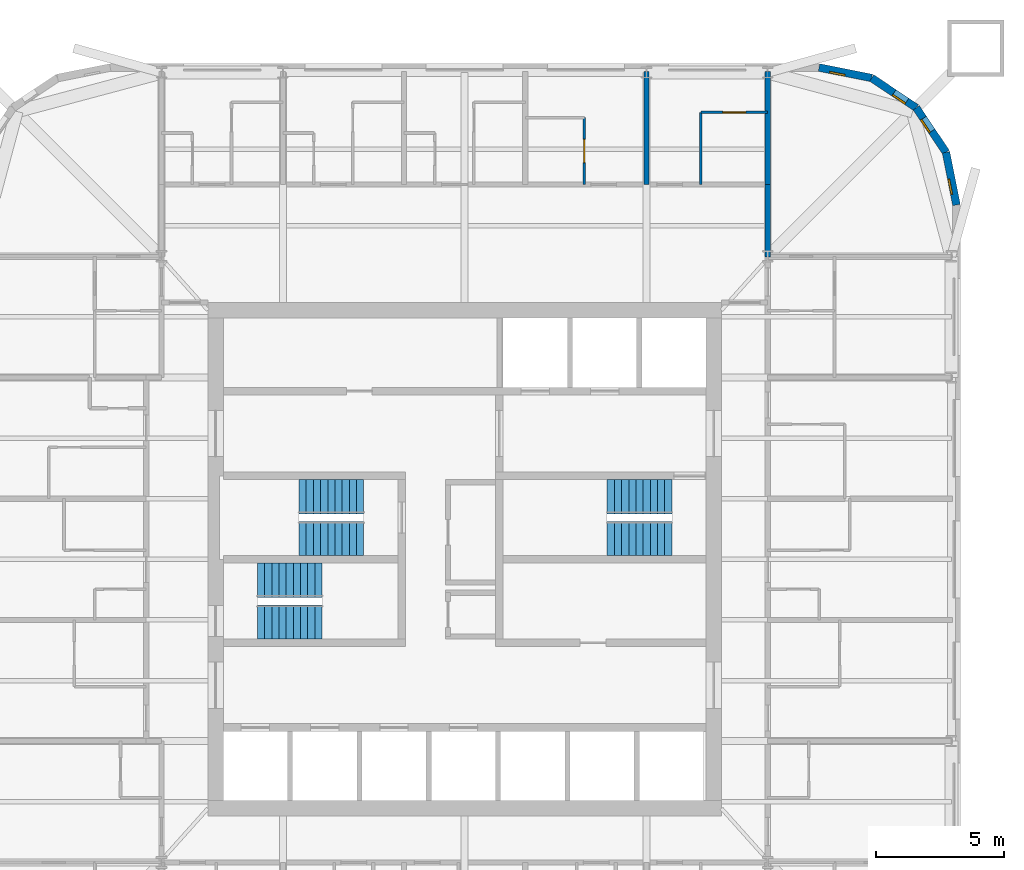
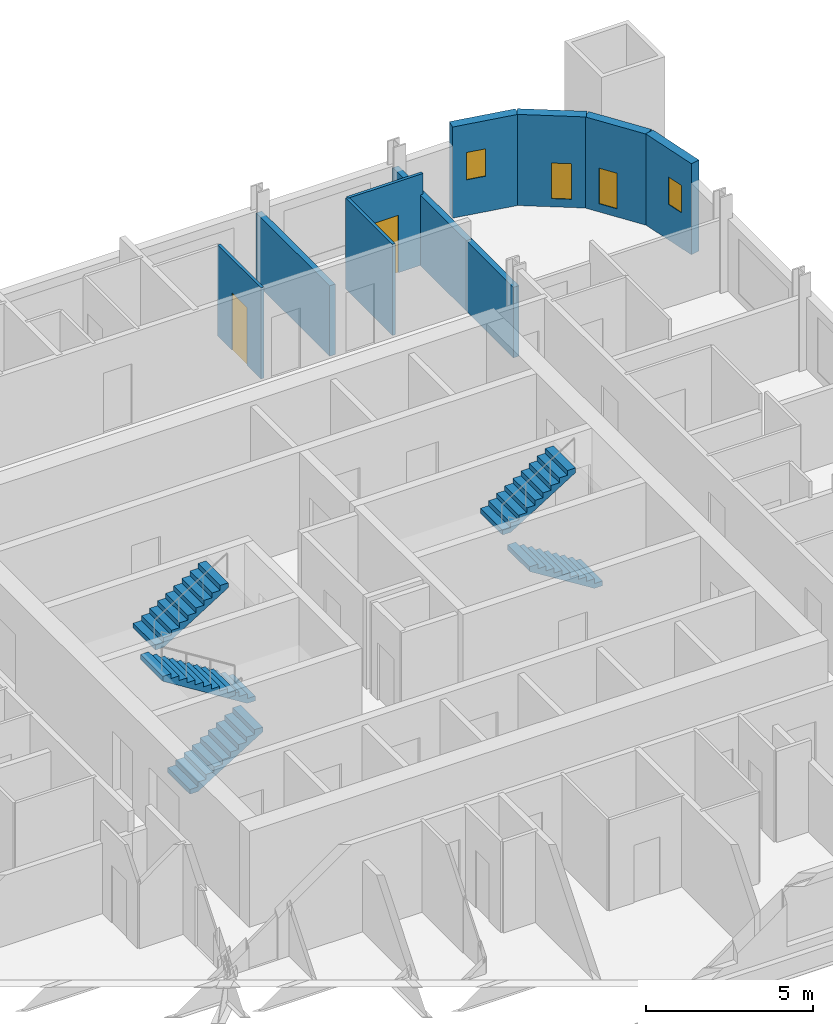
# One storey, part 8 of 9: 10 walls, 6 stair flights, 4 windows, 2 doors, 6 openings, 3 elements without a shape of their own.
"""IFC4 building model written with IfcOpenShell, lengths in metres."""

from ifc_helpers import new_model, si_unit, direction, frame, frame_2d, origin, place, context, subcontext, project, spatial, polyline, rectangle, outline, extrude, material, layer, layer_set, type_object, element, fill, aggregate, save


model = new_model("IFC4")

# Units and contexts
model_context = context("Model", 3, precision=1e-05, world=origin(), true_north=direction((0.0, 1.0)))
body_context = subcontext(model_context, "Body", "Model", "MODEL_VIEW")
ifc_project = project(units=[si_unit("LENGTHUNIT", "METRE"), si_unit("AREAUNIT", "SQUARE_METRE"), si_unit("VOLUMEUNIT", "CUBIC_METRE"), si_unit("PLANEANGLEUNIT", "RADIAN"), si_unit("MASSUNIT", "GRAM", prefix="KILO")], contexts=[model_context])

# Site, building, storey
site_placement = place(None, origin())
site = spatial("IfcSite", under=ifc_project, at=site_placement, CompositionType="ELEMENT")
building_placement = place(site_placement, origin())
building = spatial("IfcBuilding", under=site, at=building_placement, Name="Turquesa Mirador Hotel Tower", CompositionType="ELEMENT")
storey_placement = place(building_placement, frame((0.0, 0.0, 214.300048828125)))
storey = spatial("IfcBuildingStorey", under=building, at=storey_placement, Name="L58", CompositionType="ELEMENT", Elevation=214.300048828125)

# Wall, opening, door
ifc_material_1 = material(Name="Gypsum board on steel studs", Category="steel")
ifc_layer_1 = layer(ifc_material_1, 0.10009765625)
ifc_layer_set_1 = layer_set([ifc_layer_1], Name="BATHROOM WALL 100")
wall_type_1 = type_object("IfcWallType", Name="BATHROOM WALL 100", PredefinedType="PARTITIONING", material=ifc_layer_set_1)
wall_1_placement = place(storey_placement, frame((64.199951171875, 62.39990234375, 0.0), z_axis=(0.0, 0.0, 1.0), x_axis=(1.0, 0.0, 0.0)))
wall_1 = element("IfcWall", 1, at=wall_1_placement, inside=storey, type_object=wall_type_1, Name="Partition L58 037", PredefinedType="PARTITIONING", context=body_context, shape_type="SweptSolid", body=[
    extrude(rectangle(XDim=2.60009765625, YDim=0.10009765625, at=frame_2d((1.300048828125, 0.0))), origin(), (0.0, 0.0, 1.0), 3.329833984375),
])
opening_1_placement = place(wall_1_placement, frame((0.85009765625, 0.0, 0.0)))
opening_1 = element("IfcOpeningElement", 2, at=opening_1_placement, cuts=wall_1, Name="Opening D02", PredefinedType="OPENING", context=body_context, shape_type="SweptSolid", body=[
    extrude(rectangle(XDim=0.89990234375, YDim=2.10009765625, at=frame_2d((0.449951171875, 1.050048828125))), frame((0.0, 0.06005859375, 0.0), z_axis=(0.0, -1.0, 0.0), x_axis=(1.0, 0.0, 0.0)), (0.0, 0.0, 1.0), 0.1201171875),
])
ifc_material_2 = material(Name="Timber veneered door", Category="wood")
door_type = type_object("IfcDoorType", Name="DOOR 900X2100 EN-SUITE", OperationType="SINGLE_SWING_RIGHT", PredefinedType="DOOR", material=ifc_material_2)
door_1_placement = place(opening_1_placement, origin())
door_1 = element("IfcDoor", 3, at=door_1_placement, inside=storey, type_object=door_type, Name="Door 5805B", OperationType="SINGLE_SWING_RIGHT", OverallHeight=2.10009765625, OverallWidth=0.89990234375, PredefinedType="DOOR", context=body_context, shape_type="SweptSolid", body=[
    extrude(rectangle(XDim=0.89990234375, YDim=2.10009765625, at=frame_2d((0.449951171875, 1.050048828125))), frame((0.0, 0.02490234375, 0.0), z_axis=(0.0, -1.0, 0.0), x_axis=(1.0, 0.0, 0.0)), (0.0, 0.0, 1.0), 0.050048828125),
])
fill(opening_1, door_1)

wall_2_placement = place(storey_placement, frame((59.659912109375, 59.60009765625, 0.0), z_axis=(0.0, 0.0, 1.0), x_axis=(0.0, 1.0, 0.0)))
wall_2 = element("IfcWall", 4, at=wall_2_placement, inside=storey, type_object=wall_type_1, Name="Partition L58 096", PredefinedType="PARTITIONING", context=body_context, shape_type="SweptSolid", body=[
    extrude(rectangle(XDim=2.599853515625, YDim=0.10009765625, at=frame_2d((1.2998046875, 0.0))), origin(), (0.0, 0.0, 1.0), 3.329833984375),
])
opening_2_placement = place(wall_2_placement, frame((0.85009765625, 0.0, 0.0)))
opening_2 = element("IfcOpeningElement", 5, at=opening_2_placement, cuts=wall_2, Name="Opening D02", PredefinedType="OPENING", context=body_context, shape_type="SweptSolid", body=[
    extrude(rectangle(XDim=0.89990234375, YDim=2.10009765625, at=frame_2d((0.449951171875, 1.050048828125))), frame((0.0, 0.06005859375, 0.0), z_axis=(0.0, -1.0, 0.0), x_axis=(1.0, 0.0, 0.0)), (0.0, 0.0, 1.0), 0.1201171875),
])
door_2_placement = place(opening_2_placement, origin())
door_2 = element("IfcDoor", 6, at=door_2_placement, inside=storey, type_object=door_type, Name="Door 5804B", OperationType="SINGLE_SWING_RIGHT", OverallHeight=2.10009765625, OverallWidth=0.89990234375, PredefinedType="DOOR", context=body_context, shape_type="SweptSolid", body=[
    extrude(rectangle(XDim=0.89990234375, YDim=2.10009765625, at=frame_2d((0.449951171875, 1.050048828125))), frame((0.0, 0.02490234375, 0.0), z_axis=(0.0, -1.0, 0.0), x_axis=(1.0, 0.0, 0.0)), (0.0, 0.0, 1.0), 0.050048828125),
])
fill(opening_2, door_2)

# Walls
wall_3_placement = place(storey_placement, frame((64.199951171875, 59.60009765625, 0.0), z_axis=(0.0, 0.0, 1.0), x_axis=(0.0, 1.0, 0.0)))
element("IfcWall", 7, at=wall_3_placement, inside=storey, type_object=wall_type_1, Name="Partition L58 101", PredefinedType="PARTITIONING", context=body_context, shape_type="SweptSolid", body=[
    extrude(rectangle(XDim=2.7998046875, YDim=0.10009765625, at=frame_2d((1.39990234375, 0.0))), origin(), (0.0, 0.0, 1.0), 3.329833984375),
])
ifc_material_3 = material(Name="Fire-rated gypsum board on steel studs", Category="steel")
ifc_layer_2 = layer(ifc_material_3, 0.199951171875)
ifc_layer_set_2 = layer_set([ifc_layer_2], Name="CORRIDOR WALL 200")
wall_type_2 = type_object("IfcWallType", Name="CORRIDOR WALL 200", PredefinedType="PARTITIONING", material=ifc_layer_set_2)
wall_4_placement = place(storey_placement, frame((66.800048828125, 56.780029296875, 0.0), z_axis=(0.0, 0.0, 1.0), x_axis=(0.0, 1.0, 0.0)))
element("IfcWall", 8, at=wall_4_placement, inside=storey, type_object=wall_type_2, Name="Partition L58 103", PredefinedType="PARTITIONING", context=body_context, shape_type="SweptSolid", body=[
    extrude(rectangle(XDim=2.820068359375, YDim=0.199951171875, at=frame_2d((1.41015625, 0.0))), origin(), (0.0, 0.0, 1.0), 2.572998046875),
])

# Wall, opening, window
ifc_material_4 = material(Name="Limestone cladding on concrete block", Category="masonry")
ifc_layer_3 = layer(ifc_material_4, 0.300048828125)
ifc_layer_set_3 = layer_set([ifc_layer_3], Name="FACADE WALL 300 STONE SCREEN")
wall_type_3 = type_object("IfcWallType", Name="FACADE WALL 300 STONE SCREEN", PredefinedType="SOLIDWALL", material=ifc_layer_set_3)
wall_5_placement = place(storey_placement, frame((74.14990234375, 58.800048828125, 0.0), z_axis=(0.0, 0.0, 1.0), x_axis=(-0.195081421501, 0.980787050784, 0.0)))
wall_5 = element("IfcWall", 9, at=wall_5_placement, inside=storey, type_object=wall_type_3, Name="Facade wall L58 05", PredefinedType="SOLIDWALL", context=body_context, shape_type="SweptSolid", body=[
    extrude(rectangle(XDim=2.08740234375, YDim=0.300048828125, at=frame_2d((1.043701171875, 0.0))), origin(), (0.0, 0.0, 1.0), 3.329833984375),
])
opening_3_placement = place(wall_5_placement, frame((0.443603515625, 0.0, 1.300048828125)))
opening_3 = element("IfcOpeningElement", 10, at=opening_3_placement, cuts=wall_5, Name="Opening WN11", PredefinedType="OPENING", context=body_context, shape_type="SweptSolid", body=[
    extrude(rectangle(XDim=0.60009765625, YDim=1.0, at=frame_2d((0.300048828125, 0.5))), frame((0.0, 0.159912109375, 0.0), z_axis=(0.0, -1.0, 0.0), x_axis=(1.0, 0.0, 0.0)), (0.0, 0.0, 1.0), 0.320068359375),
])
ifc_material_5 = material(Name="Ceramic-fritted laminated glass", Category="glass")
window_type_1 = type_object("IfcWindowType", Name="FRITTED CORNER WINDOW 600X1000", PartitioningType="DOUBLE_PANEL_HORIZONTAL", PredefinedType="WINDOW", material=ifc_material_5)
window_1_placement = place(opening_3_placement, origin())
window_1 = element("IfcWindow", 11, at=window_1_placement, inside=storey, type_object=window_type_1, Name="Window L58", OverallHeight=1.0, OverallWidth=0.60009765625, PartitioningType="SINGLE_PANEL", PredefinedType="WINDOW", context=body_context, shape_type="SweptSolid", body=[
    extrude(rectangle(XDim=0.60009765625, YDim=1.0, at=frame_2d((0.300048828125, 0.5))), frame((0.0, 0.130126953125, 0.0), z_axis=(0.0, -1.0, 0.0), x_axis=(1.0, 0.0, 0.0)), (0.0, 0.0, 1.0), 0.06005859375),
])
fill(opening_3, window_1)

wall_6_placement = place(storey_placement, frame((73.74267578125, 60.847412109375, 0.0), z_axis=(0.0, 0.0, 1.0), x_axis=(-0.555563607591, 0.831474039234, 0.0)))
wall_6 = element("IfcWall", 12, at=wall_6_placement, inside=storey, type_object=wall_type_3, Name="Facade wall L58 06", PredefinedType="SOLIDWALL", context=body_context, shape_type="SweptSolid", body=[
    extrude(rectangle(XDim=2.08740234375, YDim=0.300048828125, at=frame_2d((1.043701171875, 0.0))), origin(), (0.0, 0.0, 1.0), 3.329833984375),
])
opening_4_placement = place(wall_6_placement, frame((0.99365234375, 0.0, 0.300048828125)))
opening_4 = element("IfcOpeningElement", 13, at=opening_4_placement, cuts=wall_6, Name="Opening WN14", PredefinedType="OPENING", context=body_context, shape_type="SweptSolid", body=[
    extrude(rectangle(XDim=0.60009765625, YDim=1.300048828125, at=frame_2d((0.300048828125, 0.64990234375))), frame((0.0, 0.159912109375, 0.0), z_axis=(0.0, -1.0, 0.0), x_axis=(1.0, 0.0, 0.0)), (0.0, 0.0, 1.0), 0.320068359375),
])
ifc_material_6 = material(Name="Ceramic-fritted laminated glass", Category="glass")
window_type_2 = type_object("IfcWindowType", Name="FRITTED CORNER WINDOW 600X1300", PartitioningType="DOUBLE_PANEL_HORIZONTAL", PredefinedType="WINDOW", material=ifc_material_6)
window_2_placement = place(opening_4_placement, origin())
window_2 = element("IfcWindow", 14, at=window_2_placement, inside=storey, type_object=window_type_2, Name="Window L58", OverallHeight=1.300048828125, OverallWidth=0.60009765625, PartitioningType="SINGLE_PANEL", PredefinedType="WINDOW", context=body_context, shape_type="SweptSolid", body=[
    extrude(rectangle(XDim=0.60009765625, YDim=1.300048828125, at=frame_2d((0.300048828125, 0.64990234375))), frame((0.0, 0.130126953125, 0.0), z_axis=(0.0, -1.0, 0.0), x_axis=(1.0, 0.0, 0.0)), (0.0, 0.0, 1.0), 0.06005859375),
])
fill(opening_4, window_2)

wall_7_placement = place(storey_placement, frame((72.5830078125, 62.5830078125, 0.0), z_axis=(0.0, 0.0, 1.0), x_axis=(-0.831474039234, 0.555563607591, 0.0)))
wall_7 = element("IfcWall", 15, at=wall_7_placement, inside=storey, type_object=wall_type_3, Name="Facade wall L58 07", PredefinedType="SOLIDWALL", context=body_context, shape_type="SweptSolid", body=[
    extrude(rectangle(XDim=2.08740234375, YDim=0.300048828125, at=frame_2d((1.043701171875, 0.0))), origin(), (0.0, 0.0, 1.0), 3.329833984375),
])
opening_5_placement = place(wall_7_placement, frame((0.443603515625, 0.0, 0.300048828125)))
opening_5 = element("IfcOpeningElement", 16, at=opening_5_placement, cuts=wall_7, Name="Opening WN14", PredefinedType="OPENING", context=body_context, shape_type="SweptSolid", body=[
    extrude(rectangle(XDim=0.60009765625, YDim=1.300048828125, at=frame_2d((0.300048828125, 0.64990234375))), frame((0.0, 0.159912109375, 0.0), z_axis=(0.0, -1.0, 0.0), x_axis=(1.0, 0.0, 0.0)), (0.0, 0.0, 1.0), 0.320068359375),
])
window_3_placement = place(opening_5_placement, origin())
window_3 = element("IfcWindow", 17, at=window_3_placement, inside=storey, type_object=window_type_2, Name="Window L58", OverallHeight=1.300048828125, OverallWidth=0.60009765625, PartitioningType="SINGLE_PANEL", PredefinedType="WINDOW", context=body_context, shape_type="SweptSolid", body=[
    extrude(rectangle(XDim=0.60009765625, YDim=1.300048828125, at=frame_2d((0.300048828125, 0.64990234375))), frame((0.0, 0.130126953125, 0.0), z_axis=(0.0, -1.0, 0.0), x_axis=(1.0, 0.0, 0.0)), (0.0, 0.0, 1.0), 0.06005859375),
])
fill(opening_5, window_3)

wall_8_placement = place(storey_placement, frame((70.847412109375, 63.74267578125, 0.0), z_axis=(0.0, 0.0, 1.0), x_axis=(-0.980787050784, 0.195081421501, 0.0)))
wall_8 = element("IfcWall", 18, at=wall_8_placement, inside=storey, type_object=wall_type_3, Name="Facade wall L58 08", PredefinedType="SOLIDWALL", context=body_context, shape_type="SweptSolid", body=[
    extrude(rectangle(XDim=2.08740234375, YDim=0.300048828125, at=frame_2d((1.043701171875, 0.0))), origin(), (0.0, 0.0, 1.0), 3.329833984375),
])
opening_6_placement = place(wall_8_placement, frame((1.043701171875, 0.0, 1.300048828125)))
opening_6 = element("IfcOpeningElement", 19, at=opening_6_placement, cuts=wall_8, Name="Opening WN11", PredefinedType="OPENING", context=body_context, shape_type="SweptSolid", body=[
    extrude(rectangle(XDim=0.60009765625, YDim=1.0, at=frame_2d((0.300048828125, 0.5))), frame((0.0, 0.159912109375, 0.0), z_axis=(0.0, -1.0, 0.0), x_axis=(1.0, 0.0, 0.0)), (0.0, 0.0, 1.0), 0.320068359375),
])
window_4_placement = place(opening_6_placement, origin())
window_4 = element("IfcWindow", 20, at=window_4_placement, inside=storey, type_object=window_type_1, Name="Window L58", OverallHeight=1.0, OverallWidth=0.60009765625, PartitioningType="SINGLE_PANEL", PredefinedType="WINDOW", context=body_context, shape_type="SweptSolid", body=[
    extrude(rectangle(XDim=0.60009765625, YDim=1.0, at=frame_2d((0.300048828125, 0.5))), frame((0.0, 0.130126953125, 0.0), z_axis=(0.0, -1.0, 0.0), x_axis=(1.0, 0.0, 0.0)), (0.0, 0.0, 1.0), 0.06005859375),
])
fill(opening_6, window_4)

# Walls
ifc_material_7 = material(Name="Fire-rated gypsum board on steel studs", Category="steel")
ifc_layer_4 = layer(ifc_material_7, 0.199951171875)
ifc_layer_set_4 = layer_set([ifc_layer_4], Name="PARTY WALL 200")
wall_type_4 = type_object("IfcWallType", Name="PARTY WALL 200", PredefinedType="PARTITIONING", material=ifc_layer_set_4)
for number, where, z_axis, x_axis, name in (
    (21, (66.800048828125, 59.60009765625, 0.0), (0.0, 0.0, 1.0), (0.0, 1.0, 0.0), "Partition L58 084"),
    (22, (62.080078125, 59.60009765625, 0.0), (0.0, 0.0, 1.0), (0.0, 1.0, 0.0), "Partition L58 099"),
):
    element("IfcWall", number, at=place(storey_placement, frame(where, z_axis=z_axis, x_axis=x_axis)), inside=storey, type_object=wall_type_4, Name=name, PredefinedType="PARTITIONING", context=body_context, shape_type="SweptSolid", body=[
        extrude(rectangle(XDim=4.39990234375, YDim=0.199951171875, at=frame_2d((2.199951171875, 0.0))), origin(), (0.0, 0.0, 1.0), 2.572998046875),
    ])

# Stair, stair flights
ifc_material_8 = material(Name="Concrete C35/45", Category="concrete")
stair_type = type_object("IfcStairType", Name="ESCAPE STAIR CORE", PredefinedType="HALF_TURN_STAIR", material=ifc_material_8)
stair_1_placement = place(storey_placement, origin())
stair_1 = element("IfcStair", 23, at=stair_1_placement, inside=storey, type_object=stair_type, Name="Stair ST1 L58 to L59", PredefinedType="HALF_TURN_STAIR")
ifc_material_9 = material(Name="Concrete C35/45 precast flight", Category="concrete")
stair_flight_type = type_object("IfcStairFlightType", Name="STAIR FLIGHT 1330", PredefinedType="STRAIGHT", material=ifc_material_9)
stair_flight_1_placement = place(storey_placement, frame((51.070068359375, 45.81494140625, 0.0), z_axis=(0.0, 0.0, 1.0), x_axis=(-1.0, 0.0, 0.0)))
stair_flight_1 = element("IfcStairFlight", 24, at=stair_flight_1_placement, type_object=stair_flight_type, Name="ST1 flight 1", NumberOfRisers=10, NumberOfTreads=9, PredefinedType="STRAIGHT", RiserHeight=0.175, TreadLength=0.28, context=body_context, shape_type="SweptSolid", body=[
    extrude(outline(polyline([(0.0, 0.0), (0.0, 0.175048828125), (0.280029296875, 0.175048828125), (0.280029296875, 0.35009765625), (0.56005859375, 0.35009765625), (0.56005859375, 0.52490234375), (0.840087890625, 0.52490234375), (0.840087890625, 0.699951171875), (1.1201171875, 0.699951171875), (1.1201171875, 0.875), (1.39990234375, 0.875), (1.39990234375, 1.050048828125), (1.679931640625, 1.050048828125), (1.679931640625, 1.22509765625), (1.9599609375, 1.22509765625), (1.9599609375, 1.39990234375), (2.239990234375, 1.39990234375), (2.239990234375, 1.574951171875), (2.52001953125, 1.574951171875), (2.52001953125, 1.75), (2.52001953125, 1.398193359375), (0.28271484375, 0.0), (0.0, 0.0)])), frame((0.0, 0.6650390625, 0.0), z_axis=(0.0, -1.0, 0.0), x_axis=(1.0, 0.0, 0.0)), (0.0, 0.0, 1.0), 1.330078125),
])
stair_flight_2_placement = place(storey_placement, frame((48.550048828125, 47.43505859375, 1.75), z_axis=(0.0, 0.0, 1.0), x_axis=(1.0, 0.0, 0.0)))
stair_flight_2 = element("IfcStairFlight", 25, at=stair_flight_2_placement, type_object=stair_flight_type, Name="ST1 flight 2", NumberOfRisers=10, NumberOfTreads=9, PredefinedType="STRAIGHT", RiserHeight=0.175, TreadLength=0.28, context=body_context, shape_type="SweptSolid", body=[
    extrude(outline(polyline([(0.0, 0.0), (0.0, 0.175048828125), (0.280029296875, 0.175048828125), (0.280029296875, 0.35009765625), (0.56005859375, 0.35009765625), (0.56005859375, 0.52490234375), (0.840087890625, 0.52490234375), (0.840087890625, 0.699951171875), (1.1201171875, 0.699951171875), (1.1201171875, 0.875), (1.39990234375, 0.875), (1.39990234375, 1.050048828125), (1.679931640625, 1.050048828125), (1.679931640625, 1.22509765625), (1.9599609375, 1.22509765625), (1.9599609375, 1.39990234375), (2.239990234375, 1.39990234375), (2.239990234375, 1.574951171875), (2.52001953125, 1.574951171875), (2.52001953125, 1.75), (2.52001953125, 1.398193359375), (0.28271484375, 0.0), (0.0, 0.0)])), frame((0.0, 0.6650390625, 0.0), z_axis=(0.0, -1.0, 0.0), x_axis=(1.0, 0.0, 0.0)), (0.0, 0.0, 1.0), 1.330078125),
])
aggregate(stair_1, [stair_flight_1, stair_flight_2])

stair_2_placement = place(storey_placement, origin())
stair_2 = element("IfcStair", 26, at=stair_2_placement, inside=storey, type_object=stair_type, Name="Stair ST2 L58 to L59", PredefinedType="HALF_TURN_STAIR")
stair_flight_3_placement = place(storey_placement, frame((46.929931640625, 42.56494140625, 0.0), z_axis=(0.0, 0.0, 1.0), x_axis=(1.0, 0.0, 0.0)))
stair_flight_3 = element("IfcStairFlight", 27, at=stair_flight_3_placement, type_object=stair_flight_type, Name="ST2 flight 1", NumberOfRisers=10, NumberOfTreads=9, PredefinedType="STRAIGHT", RiserHeight=0.175, TreadLength=0.28, context=body_context, shape_type="SweptSolid", body=[
    extrude(outline(polyline([(0.0, 0.0), (0.0, 0.175048828125), (0.280029296875, 0.175048828125), (0.280029296875, 0.35009765625), (0.56005859375, 0.35009765625), (0.56005859375, 0.52490234375), (0.840087890625, 0.52490234375), (0.840087890625, 0.699951171875), (1.1201171875, 0.699951171875), (1.1201171875, 0.875), (1.39990234375, 0.875), (1.39990234375, 1.050048828125), (1.679931640625, 1.050048828125), (1.679931640625, 1.22509765625), (1.9599609375, 1.22509765625), (1.9599609375, 1.39990234375), (2.239990234375, 1.39990234375), (2.239990234375, 1.574951171875), (2.52001953125, 1.574951171875), (2.52001953125, 1.75), (2.52001953125, 1.398193359375), (0.28271484375, 0.0), (0.0, 0.0)])), frame((0.0, 0.6650390625, 0.0), z_axis=(0.0, -1.0, 0.0), x_axis=(1.0, 0.0, 0.0)), (0.0, 0.0, 1.0), 1.330078125),
])
stair_flight_4_placement = place(storey_placement, frame((49.449951171875, 44.18505859375, 1.75), z_axis=(0.0, 0.0, 1.0), x_axis=(-1.0, 0.0, 0.0)))
stair_flight_4 = element("IfcStairFlight", 28, at=stair_flight_4_placement, type_object=stair_flight_type, Name="ST2 flight 2", NumberOfRisers=10, NumberOfTreads=9, PredefinedType="STRAIGHT", RiserHeight=0.175, TreadLength=0.28, context=body_context, shape_type="SweptSolid", body=[
    extrude(outline(polyline([(0.0, 0.0), (0.0, 0.175048828125), (0.280029296875, 0.175048828125), (0.280029296875, 0.35009765625), (0.56005859375, 0.35009765625), (0.56005859375, 0.52490234375), (0.840087890625, 0.52490234375), (0.840087890625, 0.699951171875), (1.1201171875, 0.699951171875), (1.1201171875, 0.875), (1.39990234375, 0.875), (1.39990234375, 1.050048828125), (1.679931640625, 1.050048828125), (1.679931640625, 1.22509765625), (1.9599609375, 1.22509765625), (1.9599609375, 1.39990234375), (2.239990234375, 1.39990234375), (2.239990234375, 1.574951171875), (2.52001953125, 1.574951171875), (2.52001953125, 1.75), (2.52001953125, 1.398193359375), (0.28271484375, 0.0), (0.0, 0.0)])), frame((0.0, 0.6650390625, 0.0), z_axis=(0.0, -1.0, 0.0), x_axis=(1.0, 0.0, 0.0)), (0.0, 0.0, 1.0), 1.330078125),
])
aggregate(stair_2, [stair_flight_3, stair_flight_4])

stair_3_placement = place(storey_placement, origin())
stair_3 = element("IfcStair", 29, at=stair_3_placement, inside=storey, type_object=stair_type, Name="Stair ST3 L58 to L59", PredefinedType="HALF_TURN_STAIR")
stair_flight_5_placement = place(storey_placement, frame((63.070068359375, 45.81494140625, 0.0), z_axis=(0.0, 0.0, 1.0), x_axis=(-1.0, 0.0, 0.0)))
stair_flight_5 = element("IfcStairFlight", 30, at=stair_flight_5_placement, type_object=stair_flight_type, Name="ST3 flight 1", NumberOfRisers=10, NumberOfTreads=9, PredefinedType="STRAIGHT", RiserHeight=0.175, TreadLength=0.28, context=body_context, shape_type="SweptSolid", body=[
    extrude(outline(polyline([(0.0, 0.0), (0.0, 0.175048828125), (0.280029296875, 0.175048828125), (0.280029296875, 0.35009765625), (0.56005859375, 0.35009765625), (0.56005859375, 0.52490234375), (0.840087890625, 0.52490234375), (0.840087890625, 0.699951171875), (1.1201171875, 0.699951171875), (1.1201171875, 0.875), (1.39990234375, 0.875), (1.39990234375, 1.050048828125), (1.679931640625, 1.050048828125), (1.679931640625, 1.22509765625), (1.9599609375, 1.22509765625), (1.9599609375, 1.39990234375), (2.239990234375, 1.39990234375), (2.239990234375, 1.574951171875), (2.52001953125, 1.574951171875), (2.52001953125, 1.75), (2.52001953125, 1.398193359375), (0.28271484375, 0.0), (0.0, 0.0)])), frame((0.0, 0.6650390625, 0.0), z_axis=(0.0, -1.0, 0.0), x_axis=(1.0, 0.0, 0.0)), (0.0, 0.0, 1.0), 1.330078125),
])
stair_flight_6_placement = place(storey_placement, frame((60.550048828125, 47.43505859375, 1.75), z_axis=(0.0, 0.0, 1.0), x_axis=(1.0, 0.0, 0.0)))
stair_flight_6 = element("IfcStairFlight", 31, at=stair_flight_6_placement, type_object=stair_flight_type, Name="ST3 flight 2", NumberOfRisers=10, NumberOfTreads=9, PredefinedType="STRAIGHT", RiserHeight=0.175, TreadLength=0.28, context=body_context, shape_type="SweptSolid", body=[
    extrude(outline(polyline([(0.0, 0.0), (0.0, 0.175048828125), (0.280029296875, 0.175048828125), (0.280029296875, 0.35009765625), (0.56005859375, 0.35009765625), (0.56005859375, 0.52490234375), (0.840087890625, 0.52490234375), (0.840087890625, 0.699951171875), (1.1201171875, 0.699951171875), (1.1201171875, 0.875), (1.39990234375, 0.875), (1.39990234375, 1.050048828125), (1.679931640625, 1.050048828125), (1.679931640625, 1.22509765625), (1.9599609375, 1.22509765625), (1.9599609375, 1.39990234375), (2.239990234375, 1.39990234375), (2.239990234375, 1.574951171875), (2.52001953125, 1.574951171875), (2.52001953125, 1.75), (2.52001953125, 1.398193359375), (0.28271484375, 0.0), (0.0, 0.0)])), frame((0.0, 0.6650390625, 0.0), z_axis=(0.0, -1.0, 0.0), x_axis=(1.0, 0.0, 0.0)), (0.0, 0.0, 1.0), 1.330078125),
])
aggregate(stair_3, [stair_flight_5, stair_flight_6])

save(model, "model.ifc")
